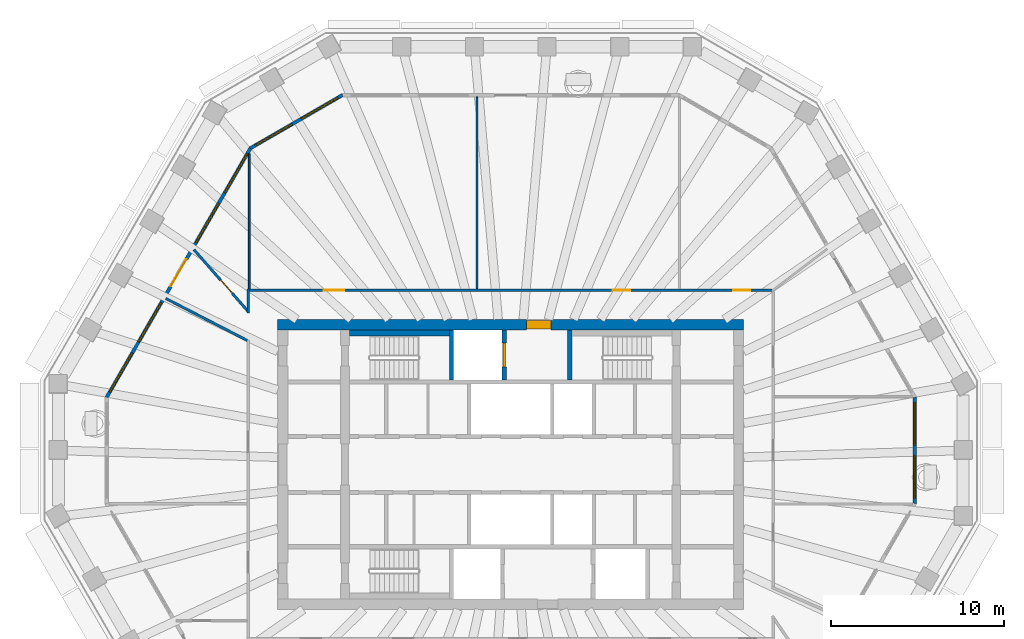
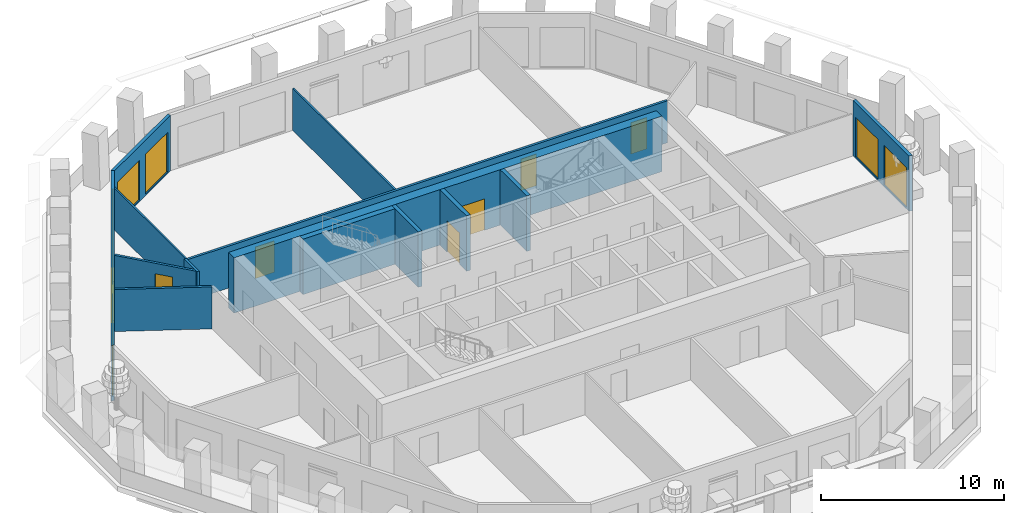
# One storey, part 7 of 12: 14 walls, 9 windows, 7 doors, 16 openings.
"""IFC4 building model written with IfcOpenShell, lengths in metres."""

from ifc_helpers import new_model, si_unit, direction, frame, frame_2d, origin, place, context, subcontext, project, spatial, polyline, rectangle, outline, extrude, material, layer, layer_set, type_object, element, fill, save


model = new_model("IFC4")

# Units and contexts
model_context = context("Model", 3, precision=1e-05, world=origin(), true_north=direction((0.0, 1.0)))
body_context = subcontext(model_context, "Body", "Model", "MODEL_VIEW")
ifc_project = project(units=[si_unit("LENGTHUNIT", "METRE"), si_unit("AREAUNIT", "SQUARE_METRE"), si_unit("VOLUMEUNIT", "CUBIC_METRE"), si_unit("PLANEANGLEUNIT", "RADIAN"), si_unit("MASSUNIT", "GRAM", prefix="KILO")], contexts=[model_context])

# Site, building, storey
site_placement = place(None, origin())
site = spatial("IfcSite", under=ifc_project, at=site_placement, CompositionType="ELEMENT")
building_placement = place(site_placement, origin())
building = spatial("IfcBuilding", under=site, at=building_placement, Name="Frailejon Research Tower", CompositionType="ELEMENT")
storey_placement = place(building_placement, frame((0.0, 0.0, 237.39990234375)))
storey = spatial("IfcBuildingStorey", under=building, at=storey_placement, Name="L51", CompositionType="ELEMENT", Elevation=237.39990234375)

# Wall, opening, door
ifc_material_1 = material(Name="Concrete C60/75", Category="concrete")
ifc_layer_1 = layer(ifc_material_1, 0.60009765625)
ifc_layer_set_1 = layer_set([ifc_layer_1], Name="Core shear wall 600 C60/75")
wall_type_1 = type_object("IfcWallType", Name="Core shear wall 600 C60/75", PredefinedType="SHEAR", material=ifc_layer_set_1)
wall_1_placement = place(storey_placement, frame((-13.5, 8.10009765625, 0.0), z_axis=(0.0, 0.0, 1.0), x_axis=(1.0, 0.0, 0.0)))
wall_1 = element("IfcWall", 1, at=wall_1_placement, inside=storey, type_object=wall_type_1, Name="Core shear wall", PredefinedType="SHEAR", context=body_context, shape_type="SweptSolid", body=[
    extrude(rectangle(XDim=27.0, YDim=0.60009765625, at=frame_2d((13.5, 0.0))), origin(), (0.0, 0.0, 1.0), 3.7001953125),
])
opening_1_placement = place(wall_1_placement, frame((14.425048828125, 0.0, 0.0)))
opening_1 = element("IfcOpeningElement", 2, at=opening_1_placement, cuts=wall_1, Name="Opening D9", PredefinedType="OPENING", context=body_context, shape_type="SweptSolid", body=[
    extrude(rectangle(XDim=1.39990234375, YDim=2.10009765625, at=frame_2d((0.699951171875, 1.050048828125))), frame((0.0, 0.31005859375, 0.0), z_axis=(0.0, -1.0, 0.0), x_axis=(1.0, 0.0, 0.0)), (0.0, 0.0, 1.0), 0.6201171875),
])
ifc_material_2 = material(Name="Steel", Category="steel")
door_type_1 = type_object("IfcDoorType", Name="Goods lobby door", OperationType="DOUBLE_DOOR_SINGLE_SWING", PredefinedType="DOOR", material=ifc_material_2)
door_1_placement = place(opening_1_placement, origin())
door_1 = element("IfcDoor", 3, at=door_1_placement, inside=storey, type_object=door_type_1, Name="Goods lobby door", OperationType="DOUBLE_DOOR_SINGLE_SWING", OverallHeight=2.10009765625, OverallWidth=1.39990234375, PredefinedType="DOOR", context=body_context, shape_type="SweptSolid", body=[
    extrude(rectangle(XDim=1.39990234375, YDim=2.10009765625, at=frame_2d((0.699951171875, 1.050048828125))), frame((0.0, 0.25, 0.0), z_axis=(0.0, -1.0, 0.0), x_axis=(1.0, 0.0, 0.0)), (0.0, 0.0, 1.0), 0.5),
])
fill(opening_1, door_1)

ifc_material_3 = material(Name="Gypsum board and masonry partition", Category="masonry")
ifc_layer_2 = layer(ifc_material_3, 0.14990234375)
ifc_layer_set_2 = layer_set([ifc_layer_2], Name="Corridor wall EI 60, gypsum on steel studs 150")
wall_type_2 = type_object("IfcWallType", Name="Corridor wall EI 60, gypsum on steel studs 150", PredefinedType="PARTITIONING", material=ifc_layer_set_2)
wall_2_placement = place(storey_placement, frame((-18.352294921875, 12.447265625, 0.0), z_axis=(0.0, 0.0, 1.0), x_axis=(0.659058801192, -0.752091415036, 0.0)))
wall_2 = element("IfcWall", 4, at=wall_2_placement, inside=storey, type_object=wall_type_2, Name="T:IW:L51:001", PredefinedType="PARTITIONING", context=body_context, shape_type="SweptSolid", body=[
    extrude(rectangle(XDim=4.7080078125, YDim=0.14990234375, at=frame_2d((2.35400390625, 0.0))), origin(), (0.0, 0.0, 1.0), 2.800048828125),
])
opening_2_placement = place(wall_2_placement, frame((2.35400390625, 0.0, 0.0)))
opening_2 = element("IfcOpeningElement", 5, at=opening_2_placement, cuts=wall_2, Name="Opening D2011", PredefinedType="OPENING", context=body_context, shape_type="SweptSolid", body=[
    extrude(rectangle(XDim=1.0, YDim=2.10009765625, at=frame_2d((0.5, 1.050048828125))), frame((0.0, 0.0849609375, 0.0), z_axis=(0.0, -1.0, 0.0), x_axis=(1.0, 0.0, 0.0)), (0.0, 0.0, 1.0), 0.169921875),
])
ifc_material_4 = material(Name="Timber door leaf", Category="wood")
door_type_2 = type_object("IfcDoorType", Name="Door single leaf, timber, steel frame 1000", OperationType="NOTDEFINED", PredefinedType="DOOR", material=ifc_material_4)
door_2_placement = place(opening_2_placement, origin())
door_2 = element("IfcDoor", 6, at=door_2_placement, inside=storey, type_object=door_type_2, Name="D2011", OperationType="SINGLE_SWING_RIGHT", OverallHeight=2.10009765625, OverallWidth=1.0, PredefinedType="DOOR", context=body_context, shape_type="SweptSolid", body=[
    extrude(rectangle(XDim=1.0, YDim=2.10009765625, at=frame_2d((0.5, 1.050048828125))), frame((0.0, 0.02490234375, 0.0), z_axis=(0.0, -1.0, 0.0), x_axis=(1.0, 0.0, 0.0)), (0.0, 0.0, 1.0), 0.050048828125),
])
fill(opening_2, door_2)

# Wall
wall_3_placement = place(storey_placement, frame((-19.985107421875, 9.619140625, 0.0), z_axis=(0.0, 0.0, 1.0), x_axis=(0.888662364403, -0.458562102767, 0.0)))
element("IfcWall", 7, at=wall_3_placement, inside=storey, type_object=wall_type_2, Name="T:IW:L51:002", PredefinedType="PARTITIONING", context=body_context, shape_type="SweptSolid", body=[
    extrude(rectangle(XDim=5.3095703125, YDim=0.14990234375, at=frame_2d((2.65478515625, 0.0))), origin(), (0.0, 0.0, 1.0), 2.800048828125),
])

# Wall, openings, doors
wall_4_placement = place(storey_placement, frame((-15.125, 10.10009765625, 0.0), z_axis=(0.0, 0.0, 1.0), x_axis=(1.0, 0.0, 0.0)))
wall_4 = element("IfcWall", 8, at=wall_4_placement, inside=storey, type_object=wall_type_2, Name="T:IW:L51:005", PredefinedType="PARTITIONING", context=body_context, shape_type="SweptSolid", body=[
    extrude(rectangle(XDim=30.27490234375, YDim=0.14990234375, at=frame_2d((15.137451171875, 0.0))), origin(), (0.0, 0.0, 1.0), 2.800048828125),
])
opening_3_placement = place(wall_4_placement, frame((28.00439453125, 0.0, 0.0)))
opening_3 = element("IfcOpeningElement", 9, at=opening_3_placement, cuts=wall_4, Name="Opening D2008", PredefinedType="OPENING", context=body_context, shape_type="SweptSolid", body=[
    extrude(rectangle(XDim=1.0, YDim=2.10009765625, at=frame_2d((0.5, 1.050048828125))), frame((0.0, 0.0849609375, 0.0), z_axis=(0.0, -1.0, 0.0), x_axis=(1.0, 0.0, 0.0)), (0.0, 0.0, 1.0), 0.169921875),
])
opening_4_placement = place(wall_4_placement, frame((21.041259765625, 0.0, 0.0)))
opening_4 = element("IfcOpeningElement", 10, at=opening_4_placement, cuts=wall_4, Name="Opening D2009", PredefinedType="OPENING", context=body_context, shape_type="SweptSolid", body=[
    extrude(rectangle(XDim=1.0, YDim=2.10009765625, at=frame_2d((0.5, 1.050048828125))), frame((0.0, 0.0849609375, 0.0), z_axis=(0.0, -1.0, 0.0), x_axis=(1.0, 0.0, 0.0)), (0.0, 0.0, 1.0), 0.169921875),
])
opening_5_placement = place(wall_4_placement, frame((4.279541015625, 0.0, 0.0)))
opening_5 = element("IfcOpeningElement", 11, at=opening_5_placement, cuts=wall_4, Name="Opening D2010", PredefinedType="OPENING", context=body_context, shape_type="SweptSolid", body=[
    extrude(rectangle(XDim=1.199951171875, YDim=2.10009765625, at=frame_2d((0.60009765625, 1.050048828125))), frame((0.0, 0.0849609375, 0.0), z_axis=(0.0, -1.0, 0.0), x_axis=(1.0, 0.0, 0.0)), (0.0, 0.0, 1.0), 0.169921875),
])
door_3_placement = place(opening_3_placement, origin())
door_3 = element("IfcDoor", 12, at=door_3_placement, inside=storey, type_object=door_type_2, Name="D2008", OperationType="SINGLE_SWING_LEFT", OverallHeight=2.10009765625, OverallWidth=1.0, PredefinedType="DOOR", context=body_context, shape_type="SweptSolid", body=[
    extrude(rectangle(XDim=1.0, YDim=2.10009765625, at=frame_2d((0.5, 1.050048828125))), frame((0.0, 0.02490234375, 0.0), z_axis=(0.0, -1.0, 0.0), x_axis=(1.0, 0.0, 0.0)), (0.0, 0.0, 1.0), 0.050048828125),
])
fill(opening_3, door_3)
door_4_placement = place(opening_4_placement, origin())
door_4 = element("IfcDoor", 13, at=door_4_placement, inside=storey, type_object=door_type_2, Name="D2009", OperationType="SINGLE_SWING_LEFT", OverallHeight=2.10009765625, OverallWidth=1.0, PredefinedType="DOOR", context=body_context, shape_type="SweptSolid", body=[
    extrude(rectangle(XDim=1.0, YDim=2.10009765625, at=frame_2d((0.5, 1.050048828125))), frame((0.0, 0.02490234375, 0.0), z_axis=(0.0, -1.0, 0.0), x_axis=(1.0, 0.0, 0.0)), (0.0, 0.0, 1.0), 0.050048828125),
])
fill(opening_4, door_4)
ifc_material_5 = material(Name="Timber door leaf", Category="wood")
door_type_3 = type_object("IfcDoorType", Name="Door single leaf, timber, steel frame 1200", OperationType="NOTDEFINED", PredefinedType="DOOR", material=ifc_material_5)
door_5_placement = place(opening_5_placement, origin())
door_5 = element("IfcDoor", 14, at=door_5_placement, inside=storey, type_object=door_type_3, Name="D2010", OperationType="DOUBLE_DOOR_SINGLE_SWING", OverallHeight=2.10009765625, OverallWidth=1.199951171875, PredefinedType="DOOR", context=body_context, shape_type="SweptSolid", body=[
    extrude(rectangle(XDim=1.199951171875, YDim=2.10009765625, at=frame_2d((0.60009765625, 1.050048828125))), frame((0.0, 0.02490234375, 0.0), z_axis=(0.0, -1.0, 0.0), x_axis=(1.0, 0.0, 0.0)), (0.0, 0.0, 1.0), 0.050048828125),
])
fill(opening_5, door_5)

# Walls
wall_5_placement = place(storey_placement, frame((-15.199951171875, 8.77490234375, 0.0), z_axis=(0.0, 0.0, 1.0), x_axis=(0.0, 1.0, 0.0)))
element("IfcWall", 15, at=wall_5_placement, inside=storey, type_object=wall_type_2, Name="T:IW:L51:007", PredefinedType="PARTITIONING", context=body_context, shape_type="SweptSolid", body=[
    extrude(rectangle(XDim=1.400146484375, YDim=0.14990234375, at=frame_2d((0.7001953125, 0.0))), origin(), (0.0, 0.0, 1.0), 2.800048828125),
])
ifc_material_6 = material(Name="Gypsum board and masonry partition", Category="masonry")
ifc_layer_3 = layer(ifc_material_6, 0.10009765625)
ifc_layer_set_3 = layer_set([ifc_layer_3], Name="Partition, gypsum on steel studs 100")
wall_type_3 = type_object("IfcWallType", Name="Partition, gypsum on steel studs 100", PredefinedType="PARTITIONING", material=ifc_layer_set_3)
wall_6_placement = place(storey_placement, frame((-1.95458984375, 10.175048828125, 0.0), z_axis=(0.0, 0.0, 1.0), x_axis=(0.0, 1.0, 0.0)))
element("IfcWall", 16, at=wall_6_placement, inside=storey, type_object=wall_type_3, Name="T:IW:L51:018", PredefinedType="PARTITIONING", context=body_context, shape_type="SweptSolid", body=[
    extrude(rectangle(XDim=11.125, YDim=0.10009765625, at=frame_2d((5.5625, 0.0))), origin(), (0.0, 0.0, 1.0), 2.800048828125),
])
wall_7_placement = place(storey_placement, frame((-15.148193359375, 10.175048828125, 0.0), z_axis=(0.0, 0.0, 1.0), x_axis=(0.0, 1.0, 0.0)))
element("IfcWall", 17, at=wall_7_placement, inside=storey, type_object=wall_type_3, Name="T:IW:L51:019", PredefinedType="PARTITIONING", context=body_context, shape_type="SweptSolid", body=[
    extrude(rectangle(XDim=7.821533203125, YDim=0.10009765625, at=frame_2d((3.91064453125, 0.0))), origin(), (0.0, 0.0, 1.0), 2.800048828125),
])
ifc_material_7 = material(Name="Concrete C60/75", Category="concrete")
ifc_layer_4 = layer(ifc_material_7, 0.25)
ifc_layer_set_4 = layer_set([ifc_layer_4], Name="Shaft wall 250 C60/75")
wall_type_4 = type_object("IfcWallType", Name="Shaft wall 250 C60/75", PredefinedType="SOLIDWALL", material=ifc_layer_set_4)
wall_8_placement = place(storey_placement, frame((-3.425048828125, 4.89990234375, 0.0), z_axis=(0.0, 0.0, 1.0), x_axis=(0.0, 1.0, 0.0)))
element("IfcWall", 18, at=wall_8_placement, inside=storey, type_object=wall_type_4, Name="Shaft wall", PredefinedType="SOLIDWALL", context=body_context, shape_type="SweptSolid", body=[
    extrude(rectangle(XDim=2.900146484375, YDim=0.25, at=frame_2d((1.4501953125, 0.0))), origin(), (0.0, 0.0, 1.0), 3.7001953125),
])

# Wall, opening, door
wall_9_placement = place(storey_placement, frame((-0.375, 4.89990234375, 0.0), z_axis=(0.0, 0.0, 1.0), x_axis=(0.0, 1.0, 0.0)))
wall_9 = element("IfcWall", 19, at=wall_9_placement, inside=storey, type_object=wall_type_4, Name="Shaft wall", PredefinedType="SOLIDWALL", context=body_context, shape_type="SweptSolid", body=[
    extrude(rectangle(XDim=2.900146484375, YDim=0.25, at=frame_2d((1.4501953125, 0.0))), origin(), (0.0, 0.0, 1.0), 3.7001953125),
])
opening_6_placement = place(wall_9_placement, frame((0.75, 0.0, 0.0)))
opening_6 = element("IfcOpeningElement", 20, at=opening_6_placement, cuts=wall_9, Name="Opening LD2", PredefinedType="OPENING", context=body_context, shape_type="SweptSolid", body=[
    extrude(rectangle(XDim=1.39990234375, YDim=2.10009765625, at=frame_2d((0.699951171875, 1.050048828125))), frame((0.0, 0.135009765625, 0.0), z_axis=(0.0, -1.0, 0.0), x_axis=(1.0, 0.0, 0.0)), (0.0, 0.0, 1.0), 0.27001953125),
])
ifc_material_8 = material(Name="Stainless steel", Category="steel")
door_type_4 = type_object("IfcDoorType", Name="Goods landing door", OperationType="DOUBLE_DOOR_SLIDING", PredefinedType="DOOR", material=ifc_material_8)
door_6_placement = place(opening_6_placement, origin())
door_6 = element("IfcDoor", 21, at=door_6_placement, inside=storey, type_object=door_type_4, Name="Lift landing door", OperationType="DOUBLE_DOOR_SLIDING", OverallHeight=2.10009765625, OverallWidth=1.39990234375, PredefinedType="DOOR", context=body_context, shape_type="SweptSolid", body=[
    extrude(rectangle(XDim=1.39990234375, YDim=2.10009765625, at=frame_2d((0.699951171875, 1.050048828125))), frame((0.0, 0.074951171875, 0.0), z_axis=(0.0, -1.0, 0.0), x_axis=(1.0, 0.0, 0.0)), (0.0, 0.0, 1.0), 0.14990234375),
])
fill(opening_6, door_6)

# Walls
wall_10_placement = place(storey_placement, frame((3.425048828125, 4.89990234375, 0.0), z_axis=(0.0, 0.0, 1.0), x_axis=(0.0, 1.0, 0.0)))
element("IfcWall", 22, at=wall_10_placement, inside=storey, type_object=wall_type_4, Name="Shaft wall", PredefinedType="SOLIDWALL", context=body_context, shape_type="SweptSolid", body=[
    extrude(rectangle(XDim=2.900146484375, YDim=0.25, at=frame_2d((1.4501953125, 0.0))), origin(), (0.0, 0.0, 1.0), 3.7001953125),
])
ifc_material_9 = material(Name="Concrete C60/75", Category="concrete")
ifc_layer_5 = layer(ifc_material_9, 0.35009765625)
ifc_layer_set_5 = layer_set([ifc_layer_5], Name="Shaft wall 350 C60/75")
wall_type_5 = type_object("IfcWallType", Name="Shaft wall 350 C60/75", PredefinedType="SOLIDWALL", material=ifc_layer_set_5)
wall_11_placement = place(storey_placement, frame((-9.35009765625, 7.625, 0.0), z_axis=(0.0, 0.0, 1.0), x_axis=(1.0, 0.0, 0.0)))
element("IfcWall", 23, at=wall_11_placement, inside=storey, type_object=wall_type_5, Name="Shaft wall", PredefinedType="SOLIDWALL", context=body_context, shape_type="SweptSolid", body=[
    extrude(rectangle(XDim=5.800048828125, YDim=0.35009765625, at=frame_2d((2.89990234375, 0.0))), origin(), (0.0, 0.0, 1.0), 3.7001953125),
])

# Wall, openings, windows
ifc_material_10 = material(Name="Concrete C40/50 precast window wall panel", Category="concrete")
ifc_layer_6 = layer(ifc_material_10, 0.199951171875)
ifc_layer_set_6 = layer_set([ifc_layer_6], Name="Window wall 200")
wall_type_6 = type_object("IfcWallType", Name="Window wall 200", PredefinedType="SOLIDWALL", material=ifc_layer_set_6)
wall_12_placement = place(storey_placement, frame((23.406005859375, -2.259521484375, 0.0), z_axis=(0.0, 0.0, 1.0), x_axis=(0.0, 1.0, 0.0)))
wall_12 = element("IfcWall", 24, at=wall_12_placement, inside=storey, type_object=wall_type_6, Name="Exterior wall L51", PredefinedType="SOLIDWALL", context=body_context, shape_type="SweptSolid", body=[
    extrude(outline(polyline([(-0.02685546875, -0.10009765625), (1.007568359375, -0.10009765625), (2.0419921875, -0.10009765625), (3.07666015625, -0.10009765625), (4.111083984375, -0.10009765625), (5.1455078125, -0.10009765625), (6.179931640625, -0.10009765625), (6.126220703125, 0.10009765625), (5.109619140625, 0.10009765625), (4.093017578125, 0.10009765625), (3.07666015625, 0.10009765625), (2.06005859375, 0.10009765625), (1.04345703125, 0.10009765625), (0.02685546875, 0.10009765625), (-0.02685546875, -0.10009765625)])), origin(), (0.0, 0.0, 1.0), 3.7001953125),
])
opening_7_placement = place(wall_12_placement, frame((0.313232421875, 0.0, 0.10009765625)))
opening_7 = element("IfcOpeningElement", 25, at=opening_7_placement, cuts=wall_12, Name="Opening W17", PredefinedType="OPENING", context=body_context, shape_type="SweptSolid", body=[
    extrude(rectangle(XDim=2.449951171875, YDim=2.64990234375, at=frame_2d((1.22509765625, 1.324951171875))), frame((0.0, 0.10986328125, 0.0), z_axis=(0.0, -1.0, 0.0), x_axis=(1.0, 0.0, 0.0)), (0.0, 0.0, 1.0), 0.219970703125),
])
opening_8_placement = place(wall_12_placement, frame((3.3896484375, 0.0, 0.10009765625)))
opening_8 = element("IfcOpeningElement", 26, at=opening_8_placement, cuts=wall_12, Name="Opening W17", PredefinedType="OPENING", context=body_context, shape_type="SweptSolid", body=[
    extrude(rectangle(XDim=2.449951171875, YDim=2.64990234375, at=frame_2d((1.22509765625, 1.324951171875))), frame((0.0, 0.10986328125, 0.0), z_axis=(0.0, -1.0, 0.0), x_axis=(1.0, 0.0, 0.0)), (0.0, 0.0, 1.0), 0.219970703125),
])
ifc_material_11 = material(Name="Aluminium framed double glazing", Category="aluminium")
window_type_1 = type_object("IfcWindowType", Name="Window 2450x2650", PartitioningType="SINGLE_PANEL", PredefinedType="WINDOW", material=ifc_material_11)
window_1_placement = place(opening_7_placement, origin())
window_1 = element("IfcWindow", 27, at=window_1_placement, inside=storey, type_object=window_type_1, Name="Window L51", OverallHeight=2.64990234375, OverallWidth=2.449951171875, PartitioningType="SINGLE_PANEL", PredefinedType="WINDOW", context=body_context, shape_type="SweptSolid", body=[
    extrude(rectangle(XDim=2.449951171875, YDim=2.64990234375, at=frame_2d((1.22509765625, 1.324951171875))), frame((0.0, 0.030029296875, 0.0), z_axis=(0.0, -1.0, 0.0), x_axis=(1.0, 0.0, 0.0)), (0.0, 0.0, 1.0), 0.06005859375),
])
fill(opening_7, window_1)
window_2_placement = place(opening_8_placement, origin())
window_2 = element("IfcWindow", 28, at=window_2_placement, inside=storey, type_object=window_type_1, Name="Window L51", OverallHeight=2.64990234375, OverallWidth=2.449951171875, PartitioningType="SINGLE_PANEL", PredefinedType="WINDOW", context=body_context, shape_type="SweptSolid", body=[
    extrude(rectangle(XDim=2.449951171875, YDim=2.64990234375, at=frame_2d((1.22509765625, 1.324951171875))), frame((0.0, 0.030029296875, 0.0), z_axis=(0.0, -1.0, 0.0), x_axis=(1.0, 0.0, 0.0)), (0.0, 0.0, 1.0), 0.06005859375),
])
fill(opening_8, window_2)

wall_13_placement = place(storey_placement, frame((-9.746337890625, 21.39990234375, 0.0), z_axis=(0.0, 0.0, 1.0), x_axis=(-0.866029647142, -0.499992650217, 0.0)))
wall_13 = element("IfcWall", 29, at=wall_13_placement, inside=storey, type_object=wall_type_6, Name="Exterior wall L51", PredefinedType="SOLIDWALL", context=body_context, shape_type="SweptSolid", body=[
    extrude(outline(polyline([(-0.02685546875, -0.10009765625), (1.007568359375, -0.10009765625), (2.0419921875, -0.10009765625), (3.076416015625, -0.10009765625), (4.11083984375, -0.10009765625), (5.145263671875, -0.10009765625), (6.1796875, -0.10009765625), (6.1259765625, 0.10009765625), (5.109375, 0.10009765625), (4.093017578125, 0.10009765625), (3.076416015625, 0.10009765625), (2.059814453125, 0.10009765625), (1.04345703125, 0.10009765625), (0.02685546875, 0.10009765625), (-0.02685546875, -0.10009765625)])), origin(), (0.0, 0.0, 1.0), 3.7001953125),
])
opening_9_placement = place(wall_13_placement, frame((0.313232421875, 0.0, 0.10009765625)))
opening_9 = element("IfcOpeningElement", 30, at=opening_9_placement, cuts=wall_13, Name="Opening W17", PredefinedType="OPENING", context=body_context, shape_type="SweptSolid", body=[
    extrude(rectangle(XDim=2.449951171875, YDim=2.64990234375, at=frame_2d((1.22509765625, 1.324951171875))), frame((0.0, 0.10986328125, 0.0), z_axis=(0.0, -1.0, 0.0), x_axis=(1.0, 0.0, 0.0)), (0.0, 0.0, 1.0), 0.219970703125),
])
opening_10_placement = place(wall_13_placement, frame((3.3896484375, 0.0, 0.10009765625)))
opening_10 = element("IfcOpeningElement", 31, at=opening_10_placement, cuts=wall_13, Name="Opening W17", PredefinedType="OPENING", context=body_context, shape_type="SweptSolid", body=[
    extrude(rectangle(XDim=2.449951171875, YDim=2.64990234375, at=frame_2d((1.22509765625, 1.324951171875))), frame((0.0, 0.10986328125, 0.0), z_axis=(0.0, -1.0, 0.0), x_axis=(1.0, 0.0, 0.0)), (0.0, 0.0, 1.0), 0.219970703125),
])
window_3_placement = place(opening_9_placement, origin())
window_3 = element("IfcWindow", 32, at=window_3_placement, inside=storey, type_object=window_type_1, Name="Window L51", OverallHeight=2.64990234375, OverallWidth=2.449951171875, PartitioningType="SINGLE_PANEL", PredefinedType="WINDOW", context=body_context, shape_type="SweptSolid", body=[
    extrude(rectangle(XDim=2.449951171875, YDim=2.64990234375, at=frame_2d((1.22509765625, 1.324951171875))), frame((0.0, 0.030029296875, 0.0), z_axis=(0.0, -1.0, 0.0), x_axis=(1.0, 0.0, 0.0)), (0.0, 0.0, 1.0), 0.06005859375),
])
fill(opening_9, window_3)
window_4_placement = place(opening_10_placement, origin())
window_4 = element("IfcWindow", 33, at=window_4_placement, inside=storey, type_object=window_type_1, Name="Window L51", OverallHeight=2.64990234375, OverallWidth=2.449951171875, PartitioningType="SINGLE_PANEL", PredefinedType="WINDOW", context=body_context, shape_type="SweptSolid", body=[
    extrude(rectangle(XDim=2.449951171875, YDim=2.64990234375, at=frame_2d((1.22509765625, 1.324951171875))), frame((0.0, 0.030029296875, 0.0), z_axis=(0.0, -1.0, 0.0), x_axis=(1.0, 0.0, 0.0)), (0.0, 0.0, 1.0), 0.06005859375),
])
fill(opening_10, window_4)

# Wall, openings, door, windows
wall_14_placement = place(storey_placement, frame((-15.074951171875, 18.323486328125, 0.0), z_axis=(0.0, 0.0, 1.0), x_axis=(-0.49999683882, -0.866027228885, 0.0)))
wall_14 = element("IfcWall", 34, at=wall_14_placement, inside=storey, type_object=wall_type_6, Name="Exterior wall L51", PredefinedType="SOLIDWALL", context=body_context, shape_type="SweptSolid", body=[
    extrude(outline(polyline([(-0.02685546875, -0.10009765625), (1.017822265625, -0.10009765625), (2.0625, -0.10009765625), (3.107421875, -0.10009765625), (4.152099609375, -0.10009765625), (5.19677734375, -0.10009765625), (6.24169921875, -0.10009765625), (7.286376953125, -0.10009765625), (8.3310546875, -0.10009765625), (9.375732421875, -0.10009765625), (10.42041015625, -0.10009765625), (11.46533203125, -0.10009765625), (12.510009765625, -0.10009765625), (13.5546875, -0.10009765625), (14.599609375, -0.10009765625), (15.644287109375, -0.10009765625), (16.68896484375, -0.10009765625), (16.63525390625, 0.10009765625), (15.59716796875, 0.10009765625), (14.55908203125, 0.10009765625), (13.521240234375, 0.10009765625), (12.483154296875, 0.10009765625), (11.445068359375, 0.10009765625), (10.4072265625, 0.10009765625), (9.369140625, 0.10009765625), (8.3310546875, 0.10009765625), (7.29296875, 0.10009765625), (6.2548828125, 0.10009765625), (5.217041015625, 0.10009765625), (4.178955078125, 0.10009765625), (3.140869140625, 0.10009765625), (2.10302734375, 0.10009765625), (1.06494140625, 0.10009765625), (0.02685546875, 0.10009765625), (-0.02685546875, -0.10009765625)])), origin(), (0.0, 0.0, 1.0), 3.7001953125),
])
opening_11_placement = place(wall_14_placement, frame((0.3662109375, 0.0, 0.10009765625)))
opening_11 = element("IfcOpeningElement", 35, at=opening_11_placement, cuts=wall_14, Name="Opening W18", PredefinedType="OPENING", context=body_context, shape_type="SweptSolid", body=[
    extrude(rectangle(XDim=2.60009765625, YDim=2.64990234375, at=frame_2d((1.300048828125, 1.324951171875))), frame((0.0, 0.10986328125, 0.0), z_axis=(0.0, -1.0, 0.0), x_axis=(1.0, 0.0, 0.0)), (0.0, 0.0, 1.0), 0.219970703125),
])
opening_12_placement = place(wall_14_placement, frame((3.69873046875, 0.0, 0.10009765625)))
opening_12 = element("IfcOpeningElement", 36, at=opening_12_placement, cuts=wall_14, Name="Opening W18", PredefinedType="OPENING", context=body_context, shape_type="SweptSolid", body=[
    extrude(rectangle(XDim=2.60009765625, YDim=2.64990234375, at=frame_2d((1.300048828125, 1.324951171875))), frame((0.0, 0.10986328125, 0.0), z_axis=(0.0, -1.0, 0.0), x_axis=(1.0, 0.0, 0.0)), (0.0, 0.0, 1.0), 0.219970703125),
])
opening_13_placement = place(wall_14_placement, frame((7.43115234375, 0.0, 0.0)))
opening_13 = element("IfcOpeningElement", 37, at=opening_13_placement, cuts=wall_14, Name="Opening LG51-3", PredefinedType="OPENING", context=body_context, shape_type="SweptSolid", body=[
    extrude(rectangle(XDim=1.800048828125, YDim=2.39990234375, at=frame_2d((0.89990234375, 1.199951171875))), frame((0.0, 0.10986328125, 0.0), z_axis=(0.0, -1.0, 0.0), x_axis=(1.0, 0.0, 0.0)), (0.0, 0.0, 1.0), 0.219970703125),
])
opening_14_placement = place(wall_14_placement, frame((7.43115234375, 0.0, 2.550048828125)))
opening_14 = element("IfcOpeningElement", 38, at=opening_14_placement, cuts=wall_14, Name="Opening W19", PredefinedType="OPENING", context=body_context, shape_type="SweptSolid", body=[
    extrude(rectangle(XDim=1.800048828125, YDim=0.199951171875, at=frame_2d((0.89990234375, 0.10009765625))), frame((0.0, 0.10986328125, 0.0), z_axis=(0.0, -1.0, 0.0), x_axis=(1.0, 0.0, 0.0)), (0.0, 0.0, 1.0), 0.219970703125),
])
opening_15_placement = place(wall_14_placement, frame((10.363525390625, 0.0, 0.10009765625)))
opening_15 = element("IfcOpeningElement", 39, at=opening_15_placement, cuts=wall_14, Name="Opening W18", PredefinedType="OPENING", context=body_context, shape_type="SweptSolid", body=[
    extrude(rectangle(XDim=2.60009765625, YDim=2.64990234375, at=frame_2d((1.300048828125, 1.324951171875))), frame((0.0, 0.10986328125, 0.0), z_axis=(0.0, -1.0, 0.0), x_axis=(1.0, 0.0, 0.0)), (0.0, 0.0, 1.0), 0.219970703125),
])
opening_16_placement = place(wall_14_placement, frame((13.696044921875, 0.0, 0.10009765625)))
opening_16 = element("IfcOpeningElement", 40, at=opening_16_placement, cuts=wall_14, Name="Opening W18", PredefinedType="OPENING", context=body_context, shape_type="SweptSolid", body=[
    extrude(rectangle(XDim=2.60009765625, YDim=2.64990234375, at=frame_2d((1.300048828125, 1.324951171875))), frame((0.0, 0.10986328125, 0.0), z_axis=(0.0, -1.0, 0.0), x_axis=(1.0, 0.0, 0.0)), (0.0, 0.0, 1.0), 0.219970703125),
])
ifc_material_12 = material(Name="Aluminium framed glazed door leaf", Category="aluminium")
door_type_5 = type_object("IfcDoorType", Name="Loggia door 1800x2400", OperationType="DOUBLE_DOOR_SINGLE_SWING", PredefinedType="DOOR", material=ifc_material_12)
door_7_placement = place(opening_13_placement, origin())
door_7 = element("IfcDoor", 41, at=door_7_placement, inside=storey, type_object=door_type_5, Name="Door LG51-3", OperationType="DOUBLE_DOOR_SINGLE_SWING", OverallHeight=2.39990234375, OverallWidth=1.800048828125, PredefinedType="DOOR", context=body_context, shape_type="SweptSolid", body=[
    extrude(rectangle(XDim=1.800048828125, YDim=2.39990234375, at=frame_2d((0.89990234375, 1.199951171875))), frame((0.0, 0.02490234375, 0.0), z_axis=(0.0, -1.0, 0.0), x_axis=(1.0, 0.0, 0.0)), (0.0, 0.0, 1.0), 0.050048828125),
])
fill(opening_13, door_7)
ifc_material_13 = material(Name="Aluminium framed double glazing", Category="aluminium")
window_type_2 = type_object("IfcWindowType", Name="Window 1800x200", PartitioningType="SINGLE_PANEL", PredefinedType="WINDOW", material=ifc_material_13)
window_5_placement = place(opening_14_placement, origin())
window_5 = element("IfcWindow", 42, at=window_5_placement, inside=storey, type_object=window_type_2, Name="Window L51", OverallHeight=0.199951171875, OverallWidth=1.800048828125, PartitioningType="SINGLE_PANEL", PredefinedType="WINDOW", context=body_context, shape_type="SweptSolid", body=[
    extrude(rectangle(XDim=1.800048828125, YDim=0.199951171875, at=frame_2d((0.89990234375, 0.10009765625))), frame((0.0, 0.030029296875, 0.0), z_axis=(0.0, -1.0, 0.0), x_axis=(1.0, 0.0, 0.0)), (0.0, 0.0, 1.0), 0.06005859375),
])
fill(opening_14, window_5)
ifc_material_14 = material(Name="Aluminium framed double glazing", Category="aluminium")
window_type_3 = type_object("IfcWindowType", Name="Window 2600x2650", PartitioningType="SINGLE_PANEL", PredefinedType="WINDOW", material=ifc_material_14)
window_6_placement = place(opening_11_placement, origin())
window_6 = element("IfcWindow", 43, at=window_6_placement, inside=storey, type_object=window_type_3, Name="Window L51", OverallHeight=2.64990234375, OverallWidth=2.60009765625, PartitioningType="SINGLE_PANEL", PredefinedType="WINDOW", context=body_context, shape_type="SweptSolid", body=[
    extrude(rectangle(XDim=2.60009765625, YDim=2.64990234375, at=frame_2d((1.300048828125, 1.324951171875))), frame((0.0, 0.030029296875, 0.0), z_axis=(0.0, -1.0, 0.0), x_axis=(1.0, 0.0, 0.0)), (0.0, 0.0, 1.0), 0.06005859375),
])
fill(opening_11, window_6)
window_7_placement = place(opening_12_placement, origin())
window_7 = element("IfcWindow", 44, at=window_7_placement, inside=storey, type_object=window_type_3, Name="Window L51", OverallHeight=2.64990234375, OverallWidth=2.60009765625, PartitioningType="SINGLE_PANEL", PredefinedType="WINDOW", context=body_context, shape_type="SweptSolid", body=[
    extrude(rectangle(XDim=2.60009765625, YDim=2.64990234375, at=frame_2d((1.300048828125, 1.324951171875))), frame((0.0, 0.030029296875, 0.0), z_axis=(0.0, -1.0, 0.0), x_axis=(1.0, 0.0, 0.0)), (0.0, 0.0, 1.0), 0.06005859375),
])
fill(opening_12, window_7)
window_8_placement = place(opening_15_placement, origin())
window_8 = element("IfcWindow", 45, at=window_8_placement, inside=storey, type_object=window_type_3, Name="Window L51", OverallHeight=2.64990234375, OverallWidth=2.60009765625, PartitioningType="SINGLE_PANEL", PredefinedType="WINDOW", context=body_context, shape_type="SweptSolid", body=[
    extrude(rectangle(XDim=2.60009765625, YDim=2.64990234375, at=frame_2d((1.300048828125, 1.324951171875))), frame((0.0, 0.030029296875, 0.0), z_axis=(0.0, -1.0, 0.0), x_axis=(1.0, 0.0, 0.0)), (0.0, 0.0, 1.0), 0.06005859375),
])
fill(opening_15, window_8)
window_9_placement = place(opening_16_placement, origin())
window_9 = element("IfcWindow", 46, at=window_9_placement, inside=storey, type_object=window_type_3, Name="Window L51", OverallHeight=2.64990234375, OverallWidth=2.60009765625, PartitioningType="SINGLE_PANEL", PredefinedType="WINDOW", context=body_context, shape_type="SweptSolid", body=[
    extrude(rectangle(XDim=2.60009765625, YDim=2.64990234375, at=frame_2d((1.300048828125, 1.324951171875))), frame((0.0, 0.030029296875, 0.0), z_axis=(0.0, -1.0, 0.0), x_axis=(1.0, 0.0, 0.0)), (0.0, 0.0, 1.0), 0.06005859375),
])
fill(opening_16, window_9)

save(model, "model.ifc")
